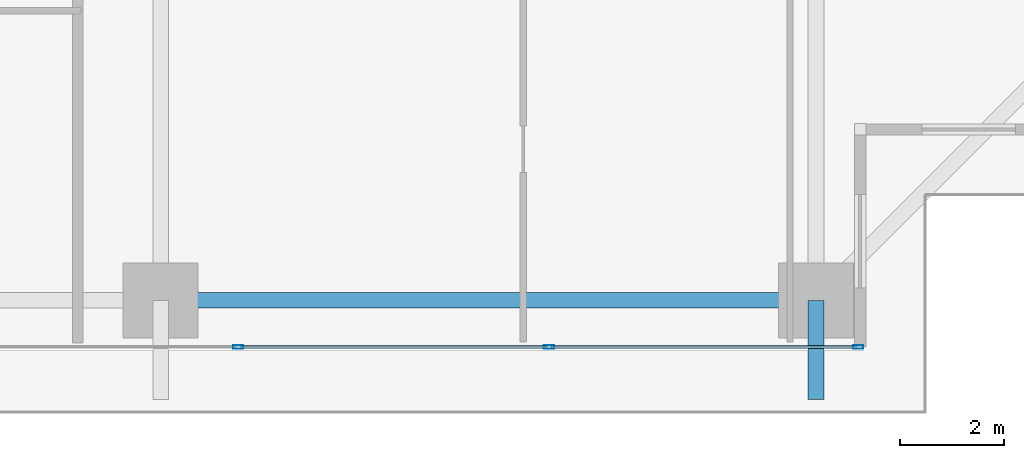
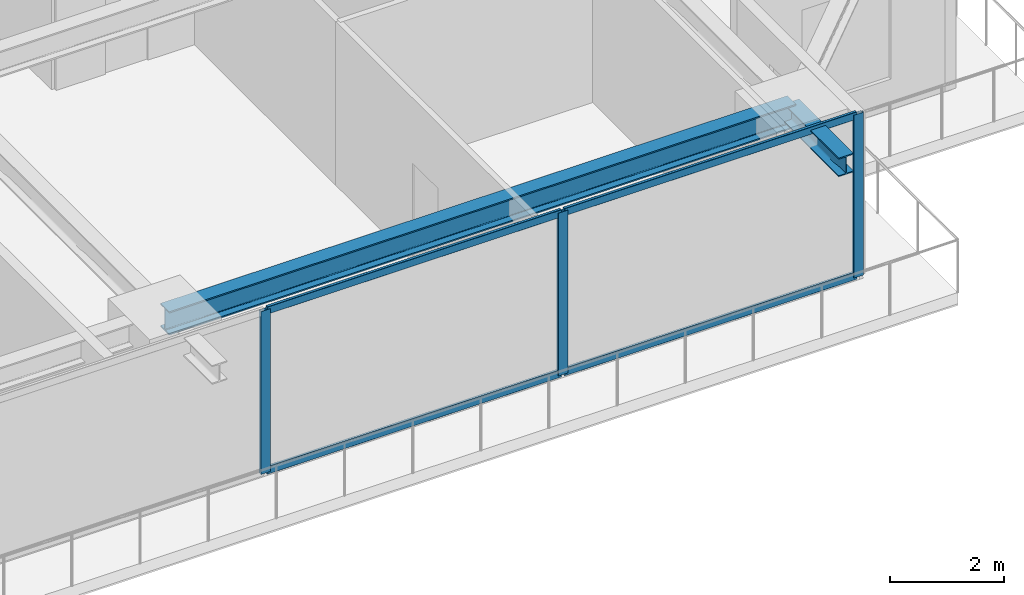
# One storey, part 10 of 38: 7 members, 2 beams, 1 element without a shape of its own.
"""IFC4 building model written with IfcOpenShell, lengths in metres."""

from ifc_helpers import new_model, si_unit, direction, frame, origin, origin_2d, place, context, subcontext, project, spatial, hollow_rectangle, i_section, extrude, source, transform, mapped, material, layer, layer_set, material_profile, profile_set, type_object, element, aggregate, save


model = new_model("IFC4")

# Units and contexts
model_context = context("Model", 3, precision=1e-05, world=origin(), true_north=direction((0.0, 1.0)))
body_context = subcontext(model_context, "Body", "Model", "MODEL_VIEW")
ifc_project = project(units=[si_unit("LENGTHUNIT", "METRE"), si_unit("AREAUNIT", "SQUARE_METRE"), si_unit("VOLUMEUNIT", "CUBIC_METRE"), si_unit("PLANEANGLEUNIT", "RADIAN"), si_unit("MASSUNIT", "GRAM", prefix="KILO")], contexts=[model_context])

# Site, building, storey
site_placement = place(None, origin())
site = spatial("IfcSite", under=ifc_project, at=site_placement, CompositionType="ELEMENT")
building_placement = place(site_placement, origin())
building = spatial("IfcBuilding", under=site, at=building_placement, Name="Serunith Strait Residences", CompositionType="ELEMENT")
storey_placement = place(building_placement, frame((0.0, 0.0, 82.949951171875)))
storey = spatial("IfcBuildingStorey", under=building, at=storey_placement, Name="L20", CompositionType="ELEMENT", Elevation=82.949951171875)

# Beams
ifc_material_1 = material(Name="Steel S355J2", Category="steel")
ifc_material_profile_1 = material_profile(ifc_material_1, i_section(OverallWidth=0.300048828125, OverallDepth=0.5, WebThickness=0.014404296875, FlangeThickness=0.028076171875, FilletRadius=0.027099609375, at=origin_2d()), Name="HEB 500")
ifc_profile_set_1 = profile_set([ifc_material_profile_1], Name="Steel S355J2")
beam_type_1 = type_object("IfcBeamType", Name="BM-HEB500", PredefinedType="BEAM", material=ifc_profile_set_1)
shared_shape_1 = source(origin(), body_context, "Body", "SweptSolid", [
    extrude(i_section(OverallWidth=0.300048828125, OverallDepth=0.5, WebThickness=0.014404296875, FlangeThickness=0.028076171875, FilletRadius=0.027099609375, at=origin_2d()), origin(), (0.0, 0.0, 1.0), 12.650146484375),
])
beam_1_placement = place(storey_placement, frame((36.89990234375, 1.10009765625, 3.237060546875), z_axis=(1.0, 0.0, 0.0), x_axis=(0.0, 1.0, 0.0)))
element("IfcBeam", 1, at=beam_1_placement, inside=storey, type_object=beam_type_1, Name="L20 Perimeter Ring Beam 03", PredefinedType="BEAM", context=body_context, shape_type="MappedRepresentation", body=[
    mapped(shared_shape_1, transform((0.0, 0.0, 0.0), scale=1.0)),
])
ifc_material_profile_2 = material_profile(ifc_material_1, i_section(OverallWidth=0.300048828125, OverallDepth=0.39990234375, WebThickness=0.013427734375, FlangeThickness=0.02392578125, FilletRadius=0.027099609375, at=origin_2d()), Name="HEB 400")
ifc_profile_set_2 = profile_set([ifc_material_profile_2], Name="Steel S355J2")
beam_type_2 = type_object("IfcBeamType", Name="BM-HEB400", PredefinedType="BEAM", material=ifc_profile_set_2)
shared_shape_2 = source(origin(), body_context, "Body", "SweptSolid", [
    extrude(i_section(OverallWidth=0.300048828125, OverallDepth=0.39990234375, WebThickness=0.013427734375, FlangeThickness=0.02392578125, FilletRadius=0.027099609375, at=origin_2d()), origin(), (0.0, 0.0, 1.0), 1.91015625),
])
beam_2_placement = place(storey_placement, frame((49.550048828125, 1.10009765625, 3.257080078125), z_axis=(0.0, -1.0, 0.0), x_axis=(1.0, 0.0, 0.0)))
element("IfcBeam", 2, at=beam_2_placement, inside=storey, type_object=beam_type_2, Name="L21 Cantilevered Balcony Rib TC-S4", PredefinedType="BEAM", context=body_context, shape_type="MappedRepresentation", body=[
    mapped(shared_shape_2, transform((0.0, 0.0, 0.0), scale=1.0)),
])

# Curtain wall, members
ifc_material_2 = material(Name="Pale-Champagne Anodised Aluminium", Category="aluminium")
ifc_layer = layer(ifc_material_2, 0.199951171875, Name="Pale-Champagne Anodised Aluminium")
ifc_layer_set = layer_set([ifc_layer], Name="Pale-Champagne Anodised Aluminium")
curtain_wall_type = type_object("IfcCurtainWallType", Name="CW-SYS1", PredefinedType="NOTDEFINED", material=ifc_layer_set)
curtain_wall_placement = place(storey_placement, origin())
curtain_wall = element("IfcCurtainWall", 3, at=curtain_wall_placement, inside=storey, type_object=curtain_wall_type, Name="L20 S Unitised Fritted Curtain Wall", PredefinedType="NOTDEFINED")
ifc_material_profile_3 = material_profile(ifc_material_2, hollow_rectangle(XDim=0.070068359375, YDim=0.199951171875, WallThickness=0.00390625, InnerFilletRadius=0.006103515625, OuterFilletRadius=0.010009765625, at=origin_2d()), Name="ALU 200x70x4")
ifc_profile_set_3 = profile_set([ifc_material_profile_3], Name="Pale-Champagne Anodised Aluminium")
member_type_1 = type_object("IfcMemberType", Name="CW-SYS1-MULL", PredefinedType="MULLION", material=ifc_profile_set_3)
shared_shape_3 = source(origin(), body_context, "Body", "SweptSolid", [
    extrude(hollow_rectangle(XDim=0.070068359375, YDim=0.199951171875, WallThickness=0.00390625, InnerFilletRadius=0.006103515625, OuterFilletRadius=0.010009765625, at=origin_2d()), origin(), (0.0, 0.0, 1.0), 3.47509765625),
])
member_1_placement = place(storey_placement, frame((38.39990234375, 0.199951171875, 0.0), z_axis=(0.0, 0.0, 1.0), x_axis=(0.0, 1.0, 0.0)))
member_1 = element("IfcMember", 4, at=member_1_placement, type_object=member_type_1, Name="CW-1 mullion 5", PredefinedType="MULLION", context=body_context, shape_type="MappedRepresentation", body=[
    mapped(shared_shape_3, transform((0.0, 0.0, 0.0), scale=1.0)),
])
member_2_placement = place(storey_placement, frame((44.39990234375, 0.199951171875, 0.0), z_axis=(0.0, 0.0, 1.0), x_axis=(0.0, 1.0, 0.0)))
member_2 = element("IfcMember", 5, at=member_2_placement, type_object=member_type_1, Name="CW-1 mullion 6", PredefinedType="MULLION", context=body_context, shape_type="MappedRepresentation", body=[
    mapped(shared_shape_3, transform((0.0, 0.0, 0.0), scale=1.0)),
])
member_3_placement = place(storey_placement, frame((50.364990234375, 0.199951171875, 0.0), z_axis=(0.0, 0.0, 1.0), x_axis=(0.0, 1.0, 0.0)))
member_3 = element("IfcMember", 6, at=member_3_placement, type_object=member_type_1, Name="CW-1 mullion 7", PredefinedType="MULLION", context=body_context, shape_type="MappedRepresentation", body=[
    mapped(shared_shape_3, transform((0.0, 0.0, 0.0), scale=1.0)),
])
ifc_material_profile_4 = material_profile(ifc_material_2, hollow_rectangle(XDim=0.06005859375, YDim=0.159912109375, WallThickness=0.00341796875, InnerFilletRadius=0.00537109375, OuterFilletRadius=0.0087890625, at=origin_2d()), Name="ALU 160x60x3.5")
ifc_profile_set_4 = profile_set([ifc_material_profile_4], Name="Pale-Champagne Anodised Aluminium")
member_type_2 = type_object("IfcMemberType", Name="CW-SYS1-TRAN", PredefinedType="USERDEFINED", material=ifc_profile_set_4)
shared_shape_4 = source(origin(), body_context, "Body", "SweptSolid", [
    extrude(hollow_rectangle(XDim=0.06005859375, YDim=0.159912109375, WallThickness=0.00341796875, InnerFilletRadius=0.00537109375, OuterFilletRadius=0.0087890625, at=origin_2d()), origin(), (0.0, 0.0, 1.0), 5.89501953125),
])
member_4_placement = place(storey_placement, frame((44.43505859375, 0.199951171875, 0.030029296875), z_axis=(1.0, 0.0, 0.0), x_axis=(0.0, 1.0, 0.0)))
member_4 = element("IfcMember", 7, at=member_4_placement, type_object=member_type_2, Name="CW-1 transom 6.1", ObjectType="TRANSOM", PredefinedType="USERDEFINED", context=body_context, shape_type="MappedRepresentation", body=[
    mapped(shared_shape_4, transform((0.0, 0.0, 0.0), scale=1.0)),
])
member_5_placement = place(storey_placement, frame((44.43505859375, 0.199951171875, 3.445068359375), z_axis=(1.0, 0.0, 0.0), x_axis=(0.0, 1.0, 0.0)))
member_5 = element("IfcMember", 8, at=member_5_placement, type_object=member_type_2, Name="CW-1 transom 6.2", ObjectType="TRANSOM", PredefinedType="USERDEFINED", context=body_context, shape_type="MappedRepresentation", body=[
    mapped(shared_shape_4, transform((0.0, 0.0, 0.0), scale=1.0)),
])
shared_shape_5 = source(origin(), body_context, "Body", "SweptSolid", [
    extrude(hollow_rectangle(XDim=0.06005859375, YDim=0.159912109375, WallThickness=0.00341796875, InnerFilletRadius=0.00537109375, OuterFilletRadius=0.0087890625, at=origin_2d()), origin(), (0.0, 0.0, 1.0), 5.929931640625),
])
member_6_placement = place(storey_placement, frame((38.43505859375, 0.199951171875, 0.030029296875), z_axis=(1.0, 0.0, 0.0), x_axis=(0.0, 1.0, 0.0)))
member_6 = element("IfcMember", 9, at=member_6_placement, type_object=member_type_2, Name="CW-1 transom 5.1", ObjectType="TRANSOM", PredefinedType="USERDEFINED", context=body_context, shape_type="MappedRepresentation", body=[
    mapped(shared_shape_5, transform((0.0, 0.0, 0.0), scale=1.0)),
])
member_7_placement = place(storey_placement, frame((38.43505859375, 0.199951171875, 3.445068359375), z_axis=(1.0, 0.0, 0.0), x_axis=(0.0, 1.0, 0.0)))
member_7 = element("IfcMember", 10, at=member_7_placement, type_object=member_type_2, Name="CW-1 transom 5.2", ObjectType="TRANSOM", PredefinedType="USERDEFINED", context=body_context, shape_type="MappedRepresentation", body=[
    mapped(shared_shape_5, transform((0.0, 0.0, 0.0), scale=1.0)),
])
aggregate(curtain_wall, [member_1, member_2, member_3, member_6, member_7, member_4, member_5])

save(model, "model.ifc")
